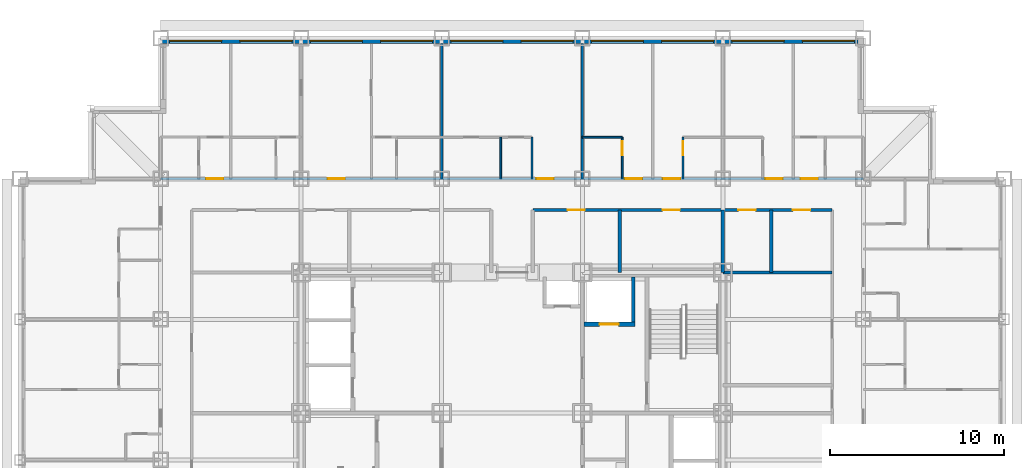
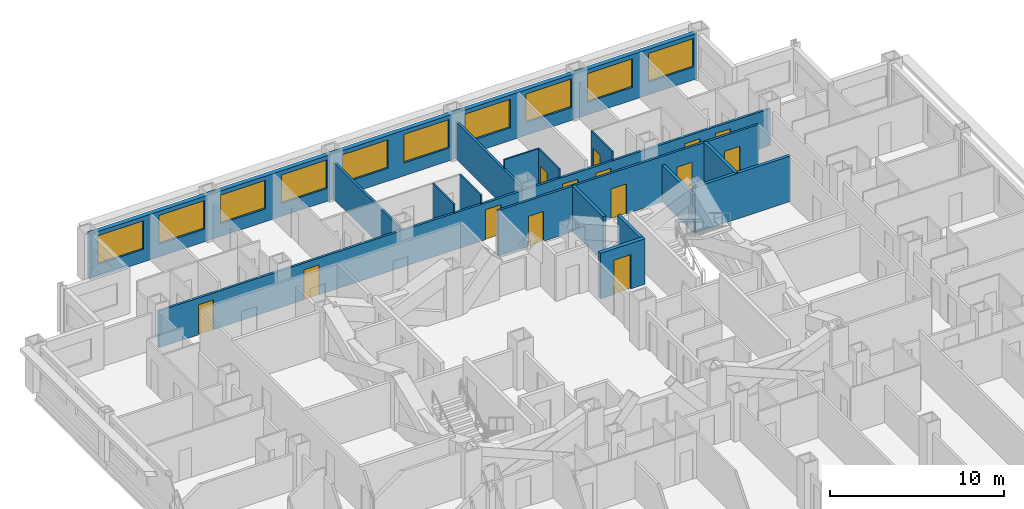
# One storey, part 10 of 14: 16 walls, 14 doors, 10 windows, 24 openings.
"""IFC4 building model written with IfcOpenShell, lengths in metres."""

from ifc_helpers import new_model, si_unit, direction, frame, frame_2d, origin, place, context, subcontext, project, spatial, rectangle, extrude, material, layer, layer_set, type_object, element, fill, save


model = new_model("IFC4")

# Units and contexts
model_context = context("Model", 3, precision=1e-05, world=origin(), true_north=direction((0.0, 1.0)))
body_context = subcontext(model_context, "Body", "Model", "MODEL_VIEW")
ifc_project = project(units=[si_unit("LENGTHUNIT", "METRE"), si_unit("AREAUNIT", "SQUARE_METRE"), si_unit("VOLUMEUNIT", "CUBIC_METRE"), si_unit("PLANEANGLEUNIT", "RADIAN"), si_unit("MASSUNIT", "GRAM", prefix="KILO")], contexts=[model_context])

# Site, building, storey
site_placement = place(None, origin())
site = spatial("IfcSite", under=ifc_project, at=site_placement, CompositionType="ELEMENT")
building_placement = place(site_placement, origin())
building = spatial("IfcBuilding", under=site, at=building_placement, Name="Kopane Lantern Tower", CompositionType="ELEMENT")
storey_placement = place(building_placement, frame((0.0, 0.0, 127.199951171875)))
storey = spatial("IfcBuildingStorey", under=building, at=storey_placement, Name="L32", CompositionType="ELEMENT", Elevation=127.199951171875)

# Walls
ifc_material_1 = material(Name="Moisture-resistant board on steel studs", Category="steel")
ifc_layer_1 = layer(ifc_material_1, 0.10009765625)
ifc_layer_set_1 = layer_set([ifc_layer_1], Name="BATHROOM WALL 100")
wall_type_1 = type_object("IfcWallType", Name="BATHROOM WALL 100", PredefinedType="PARTITIONING", material=ifc_layer_set_1)
for number, where, z_axis, x_axis, name in (
    (1, (27.699951171875, 45.89990234375, 0.0), (0.0, 0.0, 1.0), (0.0, 1.0, 0.0), "Bathroom Wall 100 L32"),
    (2, (29.5, 45.89990234375, 0.0), (0.0, 0.0, 1.0), (0.0, 1.0, 0.0), "Bathroom Wall 100 L32"),
):
    element("IfcWall", number, at=place(storey_placement, frame(where, z_axis=z_axis, x_axis=x_axis)), inside=storey, type_object=wall_type_1, Name=name, PredefinedType="PARTITIONING", context=body_context, shape_type="SweptSolid", body=[
        extrude(rectangle(XDim=2.400146484375, YDim=0.10009765625, at=frame_2d((1.2001953125, 0.0))), origin(), (0.0, 0.0, 1.0), 3.18994140625),
    ])
wall_1_placement = place(storey_placement, frame((32.39990234375, 48.300048828125, 0.0), z_axis=(0.0, 0.0, 1.0), x_axis=(1.0, 0.0, 0.0)))
element("IfcWall", 3, at=wall_1_placement, inside=storey, type_object=wall_type_1, Name="Bathroom Wall 100 L32", PredefinedType="PARTITIONING", context=body_context, shape_type="SweptSolid", body=[
    extrude(rectangle(XDim=2.300048828125, YDim=0.10009765625, at=frame_2d((1.14990234375, 0.0))), origin(), (0.0, 0.0, 1.0), 3.18994140625),
])

# Wall, opening, door
wall_2_placement = place(storey_placement, frame((34.699951171875, 45.89990234375, 0.0), z_axis=(0.0, 0.0, 1.0), x_axis=(0.0, 1.0, 0.0)))
wall_2 = element("IfcWall", 4, at=wall_2_placement, inside=storey, type_object=wall_type_1, Name="Bathroom Wall 100 L32", PredefinedType="PARTITIONING", context=body_context, shape_type="SweptSolid", body=[
    extrude(rectangle(XDim=2.400146484375, YDim=0.10009765625, at=frame_2d((1.2001953125, 0.0))), origin(), (0.0, 0.0, 1.0), 3.18994140625),
])
opening_1_placement = place(wall_2_placement, frame((1.35009765625, 0.0, 0.0)))
opening_1 = element("IfcOpeningElement", 5, at=opening_1_placement, cuts=wall_2, Name="Opening L32-037", PredefinedType="OPENING", context=body_context, shape_type="SweptSolid", body=[
    extrude(rectangle(XDim=0.800048828125, YDim=2.10009765625, at=frame_2d((0.39990234375, 1.050048828125))), frame((0.0, 0.06005859375, 0.0), z_axis=(0.0, -1.0, 0.0), x_axis=(1.0, 0.0, 0.0)), (0.0, 0.0, 1.0), 0.1201171875),
])
ifc_material_2 = material(Name="Timber door set", Category="wood")
door_type_1 = type_object("IfcDoorType", Name="DOOR D2 800x2100", OperationType="SINGLE_SWING_LEFT", PredefinedType="DOOR", material=ifc_material_2)
door_1_placement = place(opening_1_placement, origin())
door_1 = element("IfcDoor", 6, at=door_1_placement, inside=storey, type_object=door_type_1, Name="Door L32-037", OperationType="SINGLE_SWING_RIGHT", OverallHeight=2.10009765625, OverallWidth=0.800048828125, PredefinedType="DOOR", context=body_context, shape_type="SweptSolid", body=[
    extrude(rectangle(XDim=0.800048828125, YDim=2.10009765625, at=frame_2d((0.39990234375, 1.050048828125))), frame((0.0, 0.02490234375, 0.0), z_axis=(0.0, -1.0, 0.0), x_axis=(1.0, 0.0, 0.0)), (0.0, 0.0, 1.0), 0.050048828125),
])
fill(opening_1, door_1)

wall_3_placement = place(storey_placement, frame((38.199951171875, 45.89990234375, 0.0), z_axis=(0.0, 0.0, 1.0), x_axis=(0.0, 1.0, 0.0)))
wall_3 = element("IfcWall", 7, at=wall_3_placement, inside=storey, type_object=wall_type_1, Name="Bathroom Wall 100 L32", PredefinedType="PARTITIONING", context=body_context, shape_type="SweptSolid", body=[
    extrude(rectangle(XDim=2.400146484375, YDim=0.10009765625, at=frame_2d((1.2001953125, 0.0))), origin(), (0.0, 0.0, 1.0), 3.18994140625),
])
opening_2_placement = place(wall_3_placement, frame((1.35009765625, 0.0, 0.0)))
opening_2 = element("IfcOpeningElement", 8, at=opening_2_placement, cuts=wall_3, Name="Opening L32-039", PredefinedType="OPENING", context=body_context, shape_type="SweptSolid", body=[
    extrude(rectangle(XDim=0.800048828125, YDim=2.10009765625, at=frame_2d((0.39990234375, 1.050048828125))), frame((0.0, 0.06005859375, 0.0), z_axis=(0.0, -1.0, 0.0), x_axis=(1.0, 0.0, 0.0)), (0.0, 0.0, 1.0), 0.1201171875),
])
door_2_placement = place(opening_2_placement, origin())
door_2 = element("IfcDoor", 9, at=door_2_placement, inside=storey, type_object=door_type_1, Name="Door L32-039", OperationType="SINGLE_SWING_LEFT", OverallHeight=2.10009765625, OverallWidth=0.800048828125, PredefinedType="DOOR", context=body_context, shape_type="SweptSolid", body=[
    extrude(rectangle(XDim=0.800048828125, YDim=2.10009765625, at=frame_2d((0.39990234375, 1.050048828125))), frame((0.0, 0.02490234375, 0.0), z_axis=(0.0, -1.0, 0.0), x_axis=(1.0, 0.0, 0.0)), (0.0, 0.0, 1.0), 0.050048828125),
])
fill(opening_2, door_2)

ifc_material_3 = material(Name="Gypsum shaft wall EI 120", Category="gypsum")
ifc_layer_2 = layer(ifc_material_3, 0.25)
ifc_layer_set_2 = layer_set([ifc_layer_2], Name="CORE SHAFT WALL 250 EI 120")
wall_type_2 = type_object("IfcWallType", Name="CORE SHAFT WALL 250 EI 120", PredefinedType="SOLIDWALL", material=ifc_layer_set_2)
wall_4_placement = place(storey_placement, frame((32.5, 37.52490234375, 0.0), z_axis=(0.0, 0.0, 1.0), x_axis=(1.0, 0.0, 0.0)))
wall_4 = element("IfcWall", 10, at=wall_4_placement, inside=storey, type_object=wall_type_2, Name="Core shaft wall L32 YLF2", PredefinedType="SOLIDWALL", context=body_context, shape_type="SweptSolid", body=[
    extrude(rectangle(XDim=2.949951171875, YDim=0.25, at=frame_2d((1.47509765625, 0.0))), origin(), (0.0, 0.0, 1.0), 3.18994140625),
])
opening_3_placement = place(wall_4_placement, frame((0.89990234375, 0.0, 0.0)))
opening_3 = element("IfcOpeningElement", 11, at=opening_3_placement, cuts=wall_4, Name="Opening 32.LD-LF2", PredefinedType="OPENING", context=body_context, shape_type="SweptSolid", body=[
    extrude(rectangle(XDim=1.10009765625, YDim=2.39990234375, at=frame_2d((0.550048828125, 1.199951171875))), frame((0.0, 0.135009765625, 0.0), z_axis=(0.0, -1.0, 0.0), x_axis=(1.0, 0.0, 0.0)), (0.0, 0.0, 1.0), 0.27001953125),
])
ifc_material_4 = material(Name="Steel door set", Category="steel")
door_type_2 = type_object("IfcDoorType", Name="LIFT LANDING DOOR 1100x2400 FD60", OperationType="DOUBLE_DOOR_SLIDING", PredefinedType="DOOR", material=ifc_material_4)
door_3_placement = place(opening_3_placement, origin())
door_3 = element("IfcDoor", 12, at=door_3_placement, inside=storey, type_object=door_type_2, Name="Landing door LF2 L32", OperationType="DOUBLE_DOOR_SLIDING", OverallHeight=2.39990234375, OverallWidth=1.10009765625, PredefinedType="DOOR", context=body_context, shape_type="SweptSolid", body=[
    extrude(rectangle(XDim=1.10009765625, YDim=2.39990234375, at=frame_2d((0.550048828125, 1.199951171875))), frame((0.0, 0.02490234375, 0.0), z_axis=(0.0, -1.0, 0.0), x_axis=(1.0, 0.0, 0.0)), (0.0, 0.0, 1.0), 0.050048828125),
])
fill(opening_3, door_3)

# Wall, openings, doors
ifc_material_5 = material(Name="Gypsum board on steel studs", Category="steel")
ifc_layer_3 = layer(ifc_material_5, 0.14990234375)
ifc_layer_set_3 = layer_set([ifc_layer_3], Name="CORRIDOR WALL 150 EI 60")
wall_type_3 = type_object("IfcWallType", Name="CORRIDOR WALL 150 EI 60", PredefinedType="PARTITIONING", material=ifc_layer_set_3)
wall_5_placement = place(storey_placement, frame((8.10009765625, 45.89990234375, 0.0), z_axis=(0.0, 0.0, 1.0), x_axis=(1.0, 0.0, 0.0)))
wall_5 = element("IfcWall", 13, at=wall_5_placement, inside=storey, type_object=wall_type_3, Name="Corridor Wall 150 Ei 60 L32", PredefinedType="PARTITIONING", context=body_context, shape_type="SweptSolid", body=[
    extrude(rectangle(XDim=40.5, YDim=0.14990234375, at=frame_2d((20.25, 0.0))), origin(), (0.0, 0.0, 1.0), 2.577880859375),
])
opening_4_placement = place(wall_5_placement, frame((9.625, 0.0, 0.0)))
opening_4 = element("IfcOpeningElement", 14, at=opening_4_placement, cuts=wall_5, Name="Opening L32-029", PredefinedType="OPENING", context=body_context, shape_type="SweptSolid", body=[
    extrude(rectangle(XDim=1.0, YDim=2.10009765625, at=frame_2d((0.5, 1.050048828125))), frame((0.0, 0.0849609375, 0.0), z_axis=(0.0, -1.0, 0.0), x_axis=(1.0, 0.0, 0.0)), (0.0, 0.0, 1.0), 0.169921875),
])
opening_5_placement = place(wall_5_placement, frame((21.64990234375, 0.0, 0.0)))
opening_5 = element("IfcOpeningElement", 15, at=opening_5_placement, cuts=wall_5, Name="Opening L32-036", PredefinedType="OPENING", context=body_context, shape_type="SweptSolid", body=[
    extrude(rectangle(XDim=1.0, YDim=2.10009765625, at=frame_2d((0.5, 1.050048828125))), frame((0.0, 0.0849609375, 0.0), z_axis=(0.0, -1.0, 0.0), x_axis=(1.0, 0.0, 0.0)), (0.0, 0.0, 1.0), 0.169921875),
])
opening_6_placement = place(wall_5_placement, frame((26.75, 0.0, 0.0)))
opening_6 = element("IfcOpeningElement", 16, at=opening_6_placement, cuts=wall_5, Name="Opening L32-038", PredefinedType="OPENING", context=body_context, shape_type="SweptSolid", body=[
    extrude(rectangle(XDim=1.0, YDim=2.10009765625, at=frame_2d((0.5, 1.050048828125))), frame((0.0, 0.0849609375, 0.0), z_axis=(0.0, -1.0, 0.0), x_axis=(1.0, 0.0, 0.0)), (0.0, 0.0, 1.0), 0.169921875),
])
opening_7_placement = place(wall_5_placement, frame((28.949951171875, 0.0, 0.0)))
opening_7 = element("IfcOpeningElement", 17, at=opening_7_placement, cuts=wall_5, Name="Opening L32-040", PredefinedType="OPENING", context=body_context, shape_type="SweptSolid", body=[
    extrude(rectangle(XDim=1.0, YDim=2.10009765625, at=frame_2d((0.5, 1.050048828125))), frame((0.0, 0.0849609375, 0.0), z_axis=(0.0, -1.0, 0.0), x_axis=(1.0, 0.0, 0.0)), (0.0, 0.0, 1.0), 0.169921875),
])
opening_8_placement = place(wall_5_placement, frame((34.85009765625, 0.0, 0.0)))
opening_8 = element("IfcOpeningElement", 18, at=opening_8_placement, cuts=wall_5, Name="Opening L32-042", PredefinedType="OPENING", context=body_context, shape_type="SweptSolid", body=[
    extrude(rectangle(XDim=1.0, YDim=2.10009765625, at=frame_2d((0.5, 1.050048828125))), frame((0.0, 0.0849609375, 0.0), z_axis=(0.0, -1.0, 0.0), x_axis=(1.0, 0.0, 0.0)), (0.0, 0.0, 1.0), 0.169921875),
])
opening_9_placement = place(wall_5_placement, frame((36.875, 0.0, 0.0)))
opening_9 = element("IfcOpeningElement", 19, at=opening_9_placement, cuts=wall_5, Name="Opening L32-074", PredefinedType="OPENING", context=body_context, shape_type="SweptSolid", body=[
    extrude(rectangle(XDim=1.0, YDim=2.10009765625, at=frame_2d((0.5, 1.050048828125))), frame((0.0, 0.0849609375, 0.0), z_axis=(0.0, -1.0, 0.0), x_axis=(1.0, 0.0, 0.0)), (0.0, 0.0, 1.0), 0.169921875),
])
opening_10_placement = place(wall_5_placement, frame((2.625, 0.0, 0.0)))
opening_10 = element("IfcOpeningElement", 20, at=opening_10_placement, cuts=wall_5, Name="Opening L32-077", PredefinedType="OPENING", context=body_context, shape_type="SweptSolid", body=[
    extrude(rectangle(XDim=1.0, YDim=2.10009765625, at=frame_2d((0.5, 1.050048828125))), frame((0.0, 0.0849609375, 0.0), z_axis=(0.0, -1.0, 0.0), x_axis=(1.0, 0.0, 0.0)), (0.0, 0.0, 1.0), 0.169921875),
])
ifc_material_6 = material(Name="Steel door set", Category="steel")
door_type_3 = type_object("IfcDoorType", Name="DOOR D1 1000x2100 FD30S", OperationType="SINGLE_SWING_LEFT", PredefinedType="DOOR", material=ifc_material_6)
door_4_placement = place(opening_4_placement, origin())
door_4 = element("IfcDoor", 21, at=door_4_placement, inside=storey, type_object=door_type_3, Name="Door L32-029", OperationType="SINGLE_SWING_RIGHT", OverallHeight=2.10009765625, OverallWidth=1.0, PredefinedType="DOOR", context=body_context, shape_type="SweptSolid", body=[
    extrude(rectangle(XDim=1.0, YDim=2.10009765625, at=frame_2d((0.5, 1.050048828125))), frame((0.0, 0.02490234375, 0.0), z_axis=(0.0, -1.0, 0.0), x_axis=(1.0, 0.0, 0.0)), (0.0, 0.0, 1.0), 0.050048828125),
])
fill(opening_4, door_4)
door_5_placement = place(opening_5_placement, origin())
door_5 = element("IfcDoor", 22, at=door_5_placement, inside=storey, type_object=door_type_3, Name="Door L32-036", OperationType="SINGLE_SWING_LEFT", OverallHeight=2.10009765625, OverallWidth=1.0, PredefinedType="DOOR", context=body_context, shape_type="SweptSolid", body=[
    extrude(rectangle(XDim=1.0, YDim=2.10009765625, at=frame_2d((0.5, 1.050048828125))), frame((0.0, 0.02490234375, 0.0), z_axis=(0.0, -1.0, 0.0), x_axis=(1.0, 0.0, 0.0)), (0.0, 0.0, 1.0), 0.050048828125),
])
fill(opening_5, door_5)
door_6_placement = place(opening_6_placement, origin())
door_6 = element("IfcDoor", 23, at=door_6_placement, inside=storey, type_object=door_type_3, Name="Door L32-038", OperationType="SINGLE_SWING_LEFT", OverallHeight=2.10009765625, OverallWidth=1.0, PredefinedType="DOOR", context=body_context, shape_type="SweptSolid", body=[
    extrude(rectangle(XDim=1.0, YDim=2.10009765625, at=frame_2d((0.5, 1.050048828125))), frame((0.0, 0.02490234375, 0.0), z_axis=(0.0, -1.0, 0.0), x_axis=(1.0, 0.0, 0.0)), (0.0, 0.0, 1.0), 0.050048828125),
])
fill(opening_6, door_6)
door_7_placement = place(opening_7_placement, origin())
door_7 = element("IfcDoor", 24, at=door_7_placement, inside=storey, type_object=door_type_3, Name="Door L32-040", OperationType="SINGLE_SWING_RIGHT", OverallHeight=2.10009765625, OverallWidth=1.0, PredefinedType="DOOR", context=body_context, shape_type="SweptSolid", body=[
    extrude(rectangle(XDim=1.0, YDim=2.10009765625, at=frame_2d((0.5, 1.050048828125))), frame((0.0, 0.02490234375, 0.0), z_axis=(0.0, -1.0, 0.0), x_axis=(1.0, 0.0, 0.0)), (0.0, 0.0, 1.0), 0.050048828125),
])
fill(opening_7, door_7)
door_8_placement = place(opening_8_placement, origin())
door_8 = element("IfcDoor", 25, at=door_8_placement, inside=storey, type_object=door_type_3, Name="Door L32-042", OperationType="SINGLE_SWING_LEFT", OverallHeight=2.10009765625, OverallWidth=1.0, PredefinedType="DOOR", context=body_context, shape_type="SweptSolid", body=[
    extrude(rectangle(XDim=1.0, YDim=2.10009765625, at=frame_2d((0.5, 1.050048828125))), frame((0.0, 0.02490234375, 0.0), z_axis=(0.0, -1.0, 0.0), x_axis=(1.0, 0.0, 0.0)), (0.0, 0.0, 1.0), 0.050048828125),
])
fill(opening_8, door_8)
door_9_placement = place(opening_9_placement, origin())
door_9 = element("IfcDoor", 26, at=door_9_placement, inside=storey, type_object=door_type_3, Name="Door L32-074", OperationType="SINGLE_SWING_LEFT", OverallHeight=2.10009765625, OverallWidth=1.0, PredefinedType="DOOR", context=body_context, shape_type="SweptSolid", body=[
    extrude(rectangle(XDim=1.0, YDim=2.10009765625, at=frame_2d((0.5, 1.050048828125))), frame((0.0, 0.02490234375, 0.0), z_axis=(0.0, -1.0, 0.0), x_axis=(1.0, 0.0, 0.0)), (0.0, 0.0, 1.0), 0.050048828125),
])
fill(opening_9, door_9)
door_10_placement = place(opening_10_placement, origin())
door_10 = element("IfcDoor", 27, at=door_10_placement, inside=storey, type_object=door_type_3, Name="Door L32-077", OperationType="SINGLE_SWING_LEFT", OverallHeight=2.10009765625, OverallWidth=1.0, PredefinedType="DOOR", context=body_context, shape_type="SweptSolid", body=[
    extrude(rectangle(XDim=1.0, YDim=2.10009765625, at=frame_2d((0.5, 1.050048828125))), frame((0.0, 0.02490234375, 0.0), z_axis=(0.0, -1.0, 0.0), x_axis=(1.0, 0.0, 0.0)), (0.0, 0.0, 1.0), 0.050048828125),
])
fill(opening_10, door_10)

wall_6_placement = place(storey_placement, frame((46.800048828125, 44.10009765625, 0.0), z_axis=(0.0, 0.0, 1.0), x_axis=(-1.0, 0.0, 0.0)))
wall_6 = element("IfcWall", 28, at=wall_6_placement, inside=storey, type_object=wall_type_3, Name="Corridor Wall 150 Ei 60 L32", PredefinedType="PARTITIONING", context=body_context, shape_type="SweptSolid", body=[
    extrude(rectangle(XDim=17.239990234375, YDim=0.14990234375, at=frame_2d((8.6201171875, 0.0))), origin(), (0.0, 0.0, 1.0), 3.18994140625),
])
opening_11_placement = place(wall_6_placement, frame((14.25, 0.0, 0.0)))
opening_11 = element("IfcOpeningElement", 29, at=opening_11_placement, cuts=wall_6, Name="Opening L32-011", PredefinedType="OPENING", context=body_context, shape_type="SweptSolid", body=[
    extrude(rectangle(XDim=1.0, YDim=2.10009765625, at=frame_2d((0.5, 1.050048828125))), frame((0.0, 0.0849609375, 0.0), z_axis=(0.0, -1.0, 0.0), x_axis=(1.0, 0.0, 0.0)), (0.0, 0.0, 1.0), 0.169921875),
])
opening_12_placement = place(wall_6_placement, frame((8.77490234375, 0.0, 0.0)))
opening_12 = element("IfcOpeningElement", 30, at=opening_12_placement, cuts=wall_6, Name="Opening L32-012", PredefinedType="OPENING", context=body_context, shape_type="SweptSolid", body=[
    extrude(rectangle(XDim=1.0, YDim=2.10009765625, at=frame_2d((0.5, 1.050048828125))), frame((0.0, 0.0849609375, 0.0), z_axis=(0.0, -1.0, 0.0), x_axis=(1.0, 0.0, 0.0)), (0.0, 0.0, 1.0), 0.169921875),
])
opening_13_placement = place(wall_6_placement, frame((4.4111328125, 0.0, 0.0)))
opening_13 = element("IfcOpeningElement", 31, at=opening_13_placement, cuts=wall_6, Name="Opening L32-013", PredefinedType="OPENING", context=body_context, shape_type="SweptSolid", body=[
    extrude(rectangle(XDim=1.0, YDim=2.10009765625, at=frame_2d((0.5, 1.050048828125))), frame((0.0, 0.0849609375, 0.0), z_axis=(0.0, -1.0, 0.0), x_axis=(1.0, 0.0, 0.0)), (0.0, 0.0, 1.0), 0.169921875),
])
opening_14_placement = place(wall_6_placement, frame((1.260986328125, 0.0, 0.0)))
opening_14 = element("IfcOpeningElement", 32, at=opening_14_placement, cuts=wall_6, Name="Opening L32-014", PredefinedType="OPENING", context=body_context, shape_type="SweptSolid", body=[
    extrude(rectangle(XDim=1.0, YDim=2.10009765625, at=frame_2d((0.5, 1.050048828125))), frame((0.0, 0.0849609375, 0.0), z_axis=(0.0, -1.0, 0.0), x_axis=(1.0, 0.0, 0.0)), (0.0, 0.0, 1.0), 0.169921875),
])
ifc_material_7 = material(Name="Steel door set", Category="steel")
door_type_4 = type_object("IfcDoorType", Name="DOOR D5 1000x2100 FD60", OperationType="SINGLE_SWING_LEFT", PredefinedType="DOOR", material=ifc_material_7)
door_11_placement = place(opening_11_placement, origin())
door_11 = element("IfcDoor", 33, at=door_11_placement, inside=storey, type_object=door_type_4, Name="Door L32-011", OperationType="SINGLE_SWING_RIGHT", OverallHeight=2.10009765625, OverallWidth=1.0, PredefinedType="DOOR", context=body_context, shape_type="SweptSolid", body=[
    extrude(rectangle(XDim=1.0, YDim=2.10009765625, at=frame_2d((0.5, 1.050048828125))), frame((0.0, 0.02490234375, 0.0), z_axis=(0.0, -1.0, 0.0), x_axis=(1.0, 0.0, 0.0)), (0.0, 0.0, 1.0), 0.050048828125),
])
fill(opening_11, door_11)
door_12_placement = place(opening_12_placement, origin())
door_12 = element("IfcDoor", 34, at=door_12_placement, inside=storey, type_object=door_type_4, Name="Door L32-012", OperationType="SINGLE_SWING_LEFT", OverallHeight=2.10009765625, OverallWidth=1.0, PredefinedType="DOOR", context=body_context, shape_type="SweptSolid", body=[
    extrude(rectangle(XDim=1.0, YDim=2.10009765625, at=frame_2d((0.5, 1.050048828125))), frame((0.0, 0.02490234375, 0.0), z_axis=(0.0, -1.0, 0.0), x_axis=(1.0, 0.0, 0.0)), (0.0, 0.0, 1.0), 0.050048828125),
])
fill(opening_12, door_12)
door_13_placement = place(opening_13_placement, origin())
door_13 = element("IfcDoor", 35, at=door_13_placement, inside=storey, type_object=door_type_4, Name="Door L32-013", OperationType="SINGLE_SWING_RIGHT", OverallHeight=2.10009765625, OverallWidth=1.0, PredefinedType="DOOR", context=body_context, shape_type="SweptSolid", body=[
    extrude(rectangle(XDim=1.0, YDim=2.10009765625, at=frame_2d((0.5, 1.050048828125))), frame((0.0, 0.02490234375, 0.0), z_axis=(0.0, -1.0, 0.0), x_axis=(1.0, 0.0, 0.0)), (0.0, 0.0, 1.0), 0.050048828125),
])
fill(opening_13, door_13)
door_14_placement = place(opening_14_placement, origin())
door_14 = element("IfcDoor", 36, at=door_14_placement, inside=storey, type_object=door_type_4, Name="Door L32-014", OperationType="SINGLE_SWING_LEFT", OverallHeight=2.10009765625, OverallWidth=1.0, PredefinedType="DOOR", context=body_context, shape_type="SweptSolid", body=[
    extrude(rectangle(XDim=1.0, YDim=2.10009765625, at=frame_2d((0.5, 1.050048828125))), frame((0.0, 0.02490234375, 0.0), z_axis=(0.0, -1.0, 0.0), x_axis=(1.0, 0.0, 0.0)), (0.0, 0.0, 1.0), 0.050048828125),
])
fill(opening_14, door_14)

# Walls
ifc_material_8 = material(Name="Gypsum board on steel studs", Category="steel")
ifc_layer_4 = layer(ifc_material_8, 0.14990234375)
ifc_layer_set_4 = layer_set([ifc_layer_4], Name="DEMISING WALL 150 EI 60")
wall_type_4 = type_object("IfcWallType", Name="DEMISING WALL 150 EI 60", PredefinedType="PARTITIONING", material=ifc_layer_set_4)
for number, where, z_axis, x_axis, name in (
    (37, (24.300048828125, 45.89990234375, 0.0), (0.0, 0.0, 1.0), (0.0, 1.0, 0.0), "Demising Wall 150 Ei 60 L32"),
    (38, (32.39990234375, 45.89990234375, 0.0), (0.0, 0.0, 1.0), (0.0, 1.0, 0.0), "Demising Wall 150 Ei 60 L32"),
):
    element("IfcWall", number, at=place(storey_placement, frame(where, z_axis=z_axis, x_axis=x_axis)), inside=storey, type_object=wall_type_4, Name=name, PredefinedType="PARTITIONING", context=body_context, shape_type="SweptSolid", body=[
        extrude(rectangle(XDim=7.800048828125, YDim=0.14990234375, at=frame_2d((3.89990234375, 0.0))), origin(), (0.0, 0.0, 1.0), 2.577880859375),
    ])

# Wall, openings, windows
ifc_material_9 = material(Name="Terracotta rainscreen on light steel framing", Category="masonry")
ifc_layer_5 = layer(ifc_material_9, 0.300048828125)
ifc_layer_set_5 = layer_set([ifc_layer_5], Name="EXTERNAL WALL EW1 300 TERRACOTTA")
wall_type_5 = type_object("IfcWallType", Name="EXTERNAL WALL EW1 300 TERRACOTTA", PredefinedType="SOLIDWALL", material=ifc_layer_set_5)
wall_7_placement = place(storey_placement, frame((48.300048828125, 53.85009765625, 0.0), z_axis=(0.0, 0.0, 1.0), x_axis=(-1.0, 0.0, 0.0)))
wall_7 = element("IfcWall", 39, at=wall_7_placement, inside=storey, type_object=wall_type_5, Name="External wall N L32", PredefinedType="SOLIDWALL", context=body_context, shape_type="SweptSolid", body=[
    extrude(rectangle(XDim=40.199951171875, YDim=0.300048828125, at=frame_2d((20.10009765625, 0.0))), origin(), (0.0, 0.0, 1.0), 3.18994140625),
])
opening_15_placement = place(wall_7_placement, frame((0.22509765625, 0.0, 0.89990234375)))
opening_15 = element("IfcOpeningElement", 40, at=opening_15_placement, cuts=wall_7, Name="Opening WR300200", PredefinedType="OPENING", context=body_context, shape_type="SweptSolid", body=[
    extrude(rectangle(XDim=3.0, YDim=2.0, at=frame_2d((1.5, 1.0))), frame((0.0, 0.159912109375, 0.0), z_axis=(0.0, -1.0, 0.0), x_axis=(1.0, 0.0, 0.0)), (0.0, 0.0, 1.0), 0.320068359375),
])
opening_16_placement = place(wall_7_placement, frame((4.27490234375, 0.0, 0.89990234375)))
opening_16 = element("IfcOpeningElement", 41, at=opening_16_placement, cuts=wall_7, Name="Opening WR300200", PredefinedType="OPENING", context=body_context, shape_type="SweptSolid", body=[
    extrude(rectangle(XDim=3.0, YDim=2.0, at=frame_2d((1.5, 1.0))), frame((0.0, 0.159912109375, 0.0), z_axis=(0.0, -1.0, 0.0), x_axis=(1.0, 0.0, 0.0)), (0.0, 0.0, 1.0), 0.320068359375),
])
opening_17_placement = place(wall_7_placement, frame((8.324951171875, 0.0, 0.89990234375)))
opening_17 = element("IfcOpeningElement", 42, at=opening_17_placement, cuts=wall_7, Name="Opening WR300200", PredefinedType="OPENING", context=body_context, shape_type="SweptSolid", body=[
    extrude(rectangle(XDim=3.0, YDim=2.0, at=frame_2d((1.5, 1.0))), frame((0.0, 0.159912109375, 0.0), z_axis=(0.0, -1.0, 0.0), x_axis=(1.0, 0.0, 0.0)), (0.0, 0.0, 1.0), 0.320068359375),
])
opening_18_placement = place(wall_7_placement, frame((12.375, 0.0, 0.89990234375)))
opening_18 = element("IfcOpeningElement", 43, at=opening_18_placement, cuts=wall_7, Name="Opening WR300200", PredefinedType="OPENING", context=body_context, shape_type="SweptSolid", body=[
    extrude(rectangle(XDim=3.0, YDim=2.0, at=frame_2d((1.5, 1.0))), frame((0.0, 0.159912109375, 0.0), z_axis=(0.0, -1.0, 0.0), x_axis=(1.0, 0.0, 0.0)), (0.0, 0.0, 1.0), 0.320068359375),
])
opening_19_placement = place(wall_7_placement, frame((16.425048828125, 0.0, 0.89990234375)))
opening_19 = element("IfcOpeningElement", 44, at=opening_19_placement, cuts=wall_7, Name="Opening WR300200", PredefinedType="OPENING", context=body_context, shape_type="SweptSolid", body=[
    extrude(rectangle(XDim=3.0, YDim=2.0, at=frame_2d((1.5, 1.0))), frame((0.0, 0.159912109375, 0.0), z_axis=(0.0, -1.0, 0.0), x_axis=(1.0, 0.0, 0.0)), (0.0, 0.0, 1.0), 0.320068359375),
])
opening_20_placement = place(wall_7_placement, frame((20.47509765625, 0.0, 0.89990234375)))
opening_20 = element("IfcOpeningElement", 45, at=opening_20_placement, cuts=wall_7, Name="Opening WR300200", PredefinedType="OPENING", context=body_context, shape_type="SweptSolid", body=[
    extrude(rectangle(XDim=3.0, YDim=2.0, at=frame_2d((1.5, 1.0))), frame((0.0, 0.159912109375, 0.0), z_axis=(0.0, -1.0, 0.0), x_axis=(1.0, 0.0, 0.0)), (0.0, 0.0, 1.0), 0.320068359375),
])
opening_21_placement = place(wall_7_placement, frame((24.52490234375, 0.0, 0.89990234375)))
opening_21 = element("IfcOpeningElement", 46, at=opening_21_placement, cuts=wall_7, Name="Opening WR300200", PredefinedType="OPENING", context=body_context, shape_type="SweptSolid", body=[
    extrude(rectangle(XDim=3.0, YDim=2.0, at=frame_2d((1.5, 1.0))), frame((0.0, 0.159912109375, 0.0), z_axis=(0.0, -1.0, 0.0), x_axis=(1.0, 0.0, 0.0)), (0.0, 0.0, 1.0), 0.320068359375),
])
opening_22_placement = place(wall_7_placement, frame((28.574951171875, 0.0, 0.89990234375)))
opening_22 = element("IfcOpeningElement", 47, at=opening_22_placement, cuts=wall_7, Name="Opening WR300200", PredefinedType="OPENING", context=body_context, shape_type="SweptSolid", body=[
    extrude(rectangle(XDim=3.0, YDim=2.0, at=frame_2d((1.5, 1.0))), frame((0.0, 0.159912109375, 0.0), z_axis=(0.0, -1.0, 0.0), x_axis=(1.0, 0.0, 0.0)), (0.0, 0.0, 1.0), 0.320068359375),
])
opening_23_placement = place(wall_7_placement, frame((32.625, 0.0, 0.89990234375)))
opening_23 = element("IfcOpeningElement", 48, at=opening_23_placement, cuts=wall_7, Name="Opening WR300200", PredefinedType="OPENING", context=body_context, shape_type="SweptSolid", body=[
    extrude(rectangle(XDim=3.0, YDim=2.0, at=frame_2d((1.5, 1.0))), frame((0.0, 0.159912109375, 0.0), z_axis=(0.0, -1.0, 0.0), x_axis=(1.0, 0.0, 0.0)), (0.0, 0.0, 1.0), 0.320068359375),
])
opening_24_placement = place(wall_7_placement, frame((36.675048828125, 0.0, 0.89990234375)))
opening_24 = element("IfcOpeningElement", 49, at=opening_24_placement, cuts=wall_7, Name="Opening WR300200", PredefinedType="OPENING", context=body_context, shape_type="SweptSolid", body=[
    extrude(rectangle(XDim=3.0, YDim=2.0, at=frame_2d((1.5, 1.0))), frame((0.0, 0.159912109375, 0.0), z_axis=(0.0, -1.0, 0.0), x_axis=(1.0, 0.0, 0.0)), (0.0, 0.0, 1.0), 0.320068359375),
])
ifc_material_10 = material(Name="Aluminium and clear glass", Category="aluminium")
window_type = type_object("IfcWindowType", Name="RIBBON WINDOW WR300200 3000x2000", PartitioningType="SINGLE_PANEL", PredefinedType="WINDOW", material=ifc_material_10)
window_1_placement = place(opening_15_placement, origin())
window_1 = element("IfcWindow", 50, at=window_1_placement, inside=storey, type_object=window_type, Name="Window N L32", OverallHeight=2.0, OverallWidth=3.0, PartitioningType="SINGLE_PANEL", PredefinedType="WINDOW", context=body_context, shape_type="SweptSolid", body=[
    extrude(rectangle(XDim=3.0, YDim=2.0, at=frame_2d((1.5, 1.0))), frame((0.0, 0.030029296875, 0.0), z_axis=(0.0, -1.0, 0.0), x_axis=(1.0, 0.0, 0.0)), (0.0, 0.0, 1.0), 0.06005859375),
])
fill(opening_15, window_1)
window_2_placement = place(opening_16_placement, origin())
window_2 = element("IfcWindow", 51, at=window_2_placement, inside=storey, type_object=window_type, Name="Window N L32", OverallHeight=2.0, OverallWidth=3.0, PartitioningType="SINGLE_PANEL", PredefinedType="WINDOW", context=body_context, shape_type="SweptSolid", body=[
    extrude(rectangle(XDim=3.0, YDim=2.0, at=frame_2d((1.5, 1.0))), frame((0.0, 0.030029296875, 0.0), z_axis=(0.0, -1.0, 0.0), x_axis=(1.0, 0.0, 0.0)), (0.0, 0.0, 1.0), 0.06005859375),
])
fill(opening_16, window_2)
window_3_placement = place(opening_17_placement, origin())
window_3 = element("IfcWindow", 52, at=window_3_placement, inside=storey, type_object=window_type, Name="Window N L32", OverallHeight=2.0, OverallWidth=3.0, PartitioningType="SINGLE_PANEL", PredefinedType="WINDOW", context=body_context, shape_type="SweptSolid", body=[
    extrude(rectangle(XDim=3.0, YDim=2.0, at=frame_2d((1.5, 1.0))), frame((0.0, 0.030029296875, 0.0), z_axis=(0.0, -1.0, 0.0), x_axis=(1.0, 0.0, 0.0)), (0.0, 0.0, 1.0), 0.06005859375),
])
fill(opening_17, window_3)
window_4_placement = place(opening_18_placement, origin())
window_4 = element("IfcWindow", 53, at=window_4_placement, inside=storey, type_object=window_type, Name="Window N L32", OverallHeight=2.0, OverallWidth=3.0, PartitioningType="SINGLE_PANEL", PredefinedType="WINDOW", context=body_context, shape_type="SweptSolid", body=[
    extrude(rectangle(XDim=3.0, YDim=2.0, at=frame_2d((1.5, 1.0))), frame((0.0, 0.030029296875, 0.0), z_axis=(0.0, -1.0, 0.0), x_axis=(1.0, 0.0, 0.0)), (0.0, 0.0, 1.0), 0.06005859375),
])
fill(opening_18, window_4)
window_5_placement = place(opening_19_placement, origin())
window_5 = element("IfcWindow", 54, at=window_5_placement, inside=storey, type_object=window_type, Name="Window N L32", OverallHeight=2.0, OverallWidth=3.0, PartitioningType="SINGLE_PANEL", PredefinedType="WINDOW", context=body_context, shape_type="SweptSolid", body=[
    extrude(rectangle(XDim=3.0, YDim=2.0, at=frame_2d((1.5, 1.0))), frame((0.0, 0.030029296875, 0.0), z_axis=(0.0, -1.0, 0.0), x_axis=(1.0, 0.0, 0.0)), (0.0, 0.0, 1.0), 0.06005859375),
])
fill(opening_19, window_5)
window_6_placement = place(opening_20_placement, origin())
window_6 = element("IfcWindow", 55, at=window_6_placement, inside=storey, type_object=window_type, Name="Window N L32", OverallHeight=2.0, OverallWidth=3.0, PartitioningType="SINGLE_PANEL", PredefinedType="WINDOW", context=body_context, shape_type="SweptSolid", body=[
    extrude(rectangle(XDim=3.0, YDim=2.0, at=frame_2d((1.5, 1.0))), frame((0.0, 0.030029296875, 0.0), z_axis=(0.0, -1.0, 0.0), x_axis=(1.0, 0.0, 0.0)), (0.0, 0.0, 1.0), 0.06005859375),
])
fill(opening_20, window_6)
window_7_placement = place(opening_21_placement, origin())
window_7 = element("IfcWindow", 56, at=window_7_placement, inside=storey, type_object=window_type, Name="Window N L32", OverallHeight=2.0, OverallWidth=3.0, PartitioningType="SINGLE_PANEL", PredefinedType="WINDOW", context=body_context, shape_type="SweptSolid", body=[
    extrude(rectangle(XDim=3.0, YDim=2.0, at=frame_2d((1.5, 1.0))), frame((0.0, 0.030029296875, 0.0), z_axis=(0.0, -1.0, 0.0), x_axis=(1.0, 0.0, 0.0)), (0.0, 0.0, 1.0), 0.06005859375),
])
fill(opening_21, window_7)
window_8_placement = place(opening_22_placement, origin())
window_8 = element("IfcWindow", 57, at=window_8_placement, inside=storey, type_object=window_type, Name="Window N L32", OverallHeight=2.0, OverallWidth=3.0, PartitioningType="SINGLE_PANEL", PredefinedType="WINDOW", context=body_context, shape_type="SweptSolid", body=[
    extrude(rectangle(XDim=3.0, YDim=2.0, at=frame_2d((1.5, 1.0))), frame((0.0, 0.030029296875, 0.0), z_axis=(0.0, -1.0, 0.0), x_axis=(1.0, 0.0, 0.0)), (0.0, 0.0, 1.0), 0.06005859375),
])
fill(opening_22, window_8)
window_9_placement = place(opening_23_placement, origin())
window_9 = element("IfcWindow", 58, at=window_9_placement, inside=storey, type_object=window_type, Name="Window N L32", OverallHeight=2.0, OverallWidth=3.0, PartitioningType="SINGLE_PANEL", PredefinedType="WINDOW", context=body_context, shape_type="SweptSolid", body=[
    extrude(rectangle(XDim=3.0, YDim=2.0, at=frame_2d((1.5, 1.0))), frame((0.0, 0.030029296875, 0.0), z_axis=(0.0, -1.0, 0.0), x_axis=(1.0, 0.0, 0.0)), (0.0, 0.0, 1.0), 0.06005859375),
])
fill(opening_23, window_9)
window_10_placement = place(opening_24_placement, origin())
window_10 = element("IfcWindow", 59, at=window_10_placement, inside=storey, type_object=window_type, Name="Window N L32", OverallHeight=2.0, OverallWidth=3.0, PartitioningType="SINGLE_PANEL", PredefinedType="WINDOW", context=body_context, shape_type="SweptSolid", body=[
    extrude(rectangle(XDim=3.0, YDim=2.0, at=frame_2d((1.5, 1.0))), frame((0.0, 0.030029296875, 0.0), z_axis=(0.0, -1.0, 0.0), x_axis=(1.0, 0.0, 0.0)), (0.0, 0.0, 1.0), 0.06005859375),
])
fill(opening_24, window_10)

# Walls
ifc_material_11 = material(Name="Concrete masonry", Category="masonry")
ifc_layer_6 = layer(ifc_material_11, 0.199951171875)
ifc_layer_set_6 = layer_set([ifc_layer_6], Name="PLANT ROOM WALL 200 EI 120")
wall_type_6 = type_object("IfcWallType", Name="PLANT ROOM WALL 200 EI 120", PredefinedType="SOLIDWALL", material=ifc_layer_set_6)
wall_8_placement = place(storey_placement, frame((40.5, 40.5, 0.0), z_axis=(0.0, 0.0, 1.0), x_axis=(0.0, 1.0, 0.0)))
element("IfcWall", 60, at=wall_8_placement, inside=storey, type_object=wall_type_6, Name="Plant Room Wall 200 Ei 120 L32", PredefinedType="SOLIDWALL", context=body_context, shape_type="SweptSolid", body=[
    extrude(rectangle(XDim=3.60009765625, YDim=0.199951171875, at=frame_2d((1.800048828125, 0.0))), origin(), (0.0, 0.0, 1.0), 2.577880859375),
])
for number, where, z_axis, x_axis, name in (
    (61, (34.550048828125, 44.10009765625, 0.0), (0.0, 0.0, 1.0), (0.0, -1.0, 0.0), "Plant Room Wall 200 Ei 120 L32"),
    (62, (43.27783203125, 44.10009765625, 0.0), (0.0, 0.0, 1.0), (0.0, -1.0, 0.0), "Plant Room Wall 200 Ei 120 L32"),
):
    element("IfcWall", number, at=place(storey_placement, frame(where, z_axis=z_axis, x_axis=x_axis)), inside=storey, type_object=wall_type_6, Name=name, PredefinedType="SOLIDWALL", context=body_context, shape_type="SweptSolid", body=[
        extrude(rectangle(XDim=3.60009765625, YDim=0.199951171875, at=frame_2d((1.800048828125, 0.0))), origin(), (0.0, 0.0, 1.0), 3.18994140625),
    ])
wall_9_placement = place(storey_placement, frame((40.5, 40.5, 0.0), z_axis=(0.0, 0.0, 1.0), x_axis=(1.0, 0.0, 0.0)))
element("IfcWall", 63, at=wall_9_placement, inside=storey, type_object=wall_type_6, Name="Plant Room Wall 200 Ei 120 L32", PredefinedType="SOLIDWALL", context=body_context, shape_type="SweptSolid", body=[
    extrude(rectangle(XDim=6.300048828125, YDim=0.199951171875, at=frame_2d((3.14990234375, 0.0))), origin(), (0.0, 0.0, 1.0), 3.18994140625),
])
ifc_material_12 = material(Name="Gypsum shaft wall EI 120", Category="gypsum")
ifc_layer_7 = layer(ifc_material_12, 0.199951171875)
ifc_layer_set_7 = layer_set([ifc_layer_7], Name="SHAFT WALL 200 EI 120")
wall_type_7 = type_object("IfcWallType", Name="SHAFT WALL 200 EI 120", PredefinedType="SOLIDWALL", material=ifc_layer_set_7)
wall_10_placement = place(storey_placement, frame((35.35009765625, 37.64990234375, 0.0), z_axis=(0.0, 0.0, 1.0), x_axis=(0.0, 1.0, 0.0)))
element("IfcWall", 64, at=wall_10_placement, inside=storey, type_object=wall_type_7, Name="Core shaft wall L32 XLF2", PredefinedType="SOLIDWALL", context=body_context, shape_type="SweptSolid", body=[
    extrude(rectangle(XDim=2.60009765625, YDim=0.199951171875, at=frame_2d((1.300048828125, 0.0))), origin(), (0.0, 0.0, 1.0), 3.18994140625),
])

save(model, "model.ifc")
